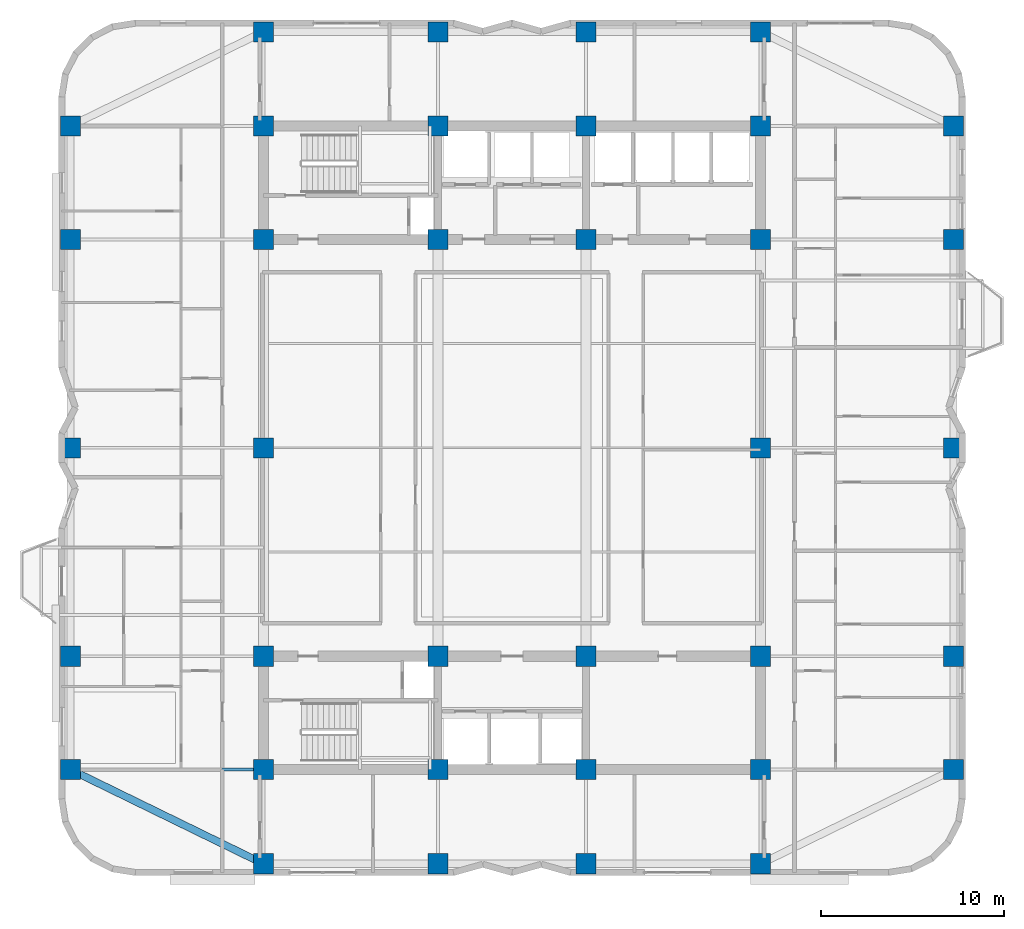
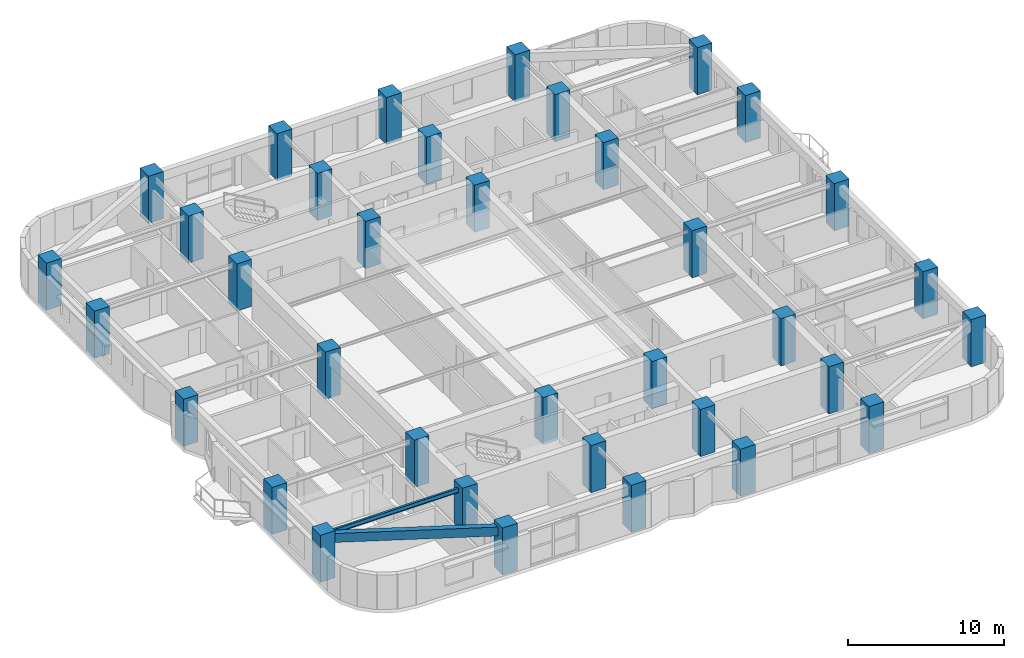
# One storey, part 1 of 15: 36 columns, 2 beams.
"""IFC4 building model written with IfcOpenShell, lengths in metres."""

from ifc_helpers import new_model, si_unit, direction, frame, origin, origin_2d, place, context, subcontext, project, spatial, rectangle, i_section, extrude, material, material_profile, profile_set, type_object, element, save


model = new_model("IFC4")

# Units and contexts
model_context = context("Model", 3, precision=1e-05, world=origin(), true_north=direction((0.0, 1.0)))
body_context = subcontext(model_context, "Body", "Model", "MODEL_VIEW")
ifc_project = project(units=[si_unit("LENGTHUNIT", "METRE"), si_unit("AREAUNIT", "SQUARE_METRE"), si_unit("VOLUMEUNIT", "CUBIC_METRE"), si_unit("PLANEANGLEUNIT", "RADIAN"), si_unit("MASSUNIT", "GRAM", prefix="KILO")], contexts=[model_context])

# Site, building, storey
site_placement = place(None, origin())
site = spatial("IfcSite", under=ifc_project, at=site_placement, CompositionType="ELEMENT")
building_placement = place(site_placement, origin())
building = spatial("IfcBuilding", under=site, at=building_placement, Name="Svetorya Sky Lyceum", CompositionType="ELEMENT")
storey_placement = place(building_placement, frame((0.0, 0.0, 117.89990234375)))
storey = spatial("IfcBuildingStorey", under=building, at=storey_placement, Name="L29", CompositionType="ELEMENT", Elevation=117.89990234375)

# Columns
ifc_material_1 = material(Name="Concrete C50/60", Category="concrete")
ifc_material_profile_1 = material_profile(ifc_material_1, rectangle(XDim=1.10009765625, YDim=1.10009765625, at=origin_2d()), Name="RC COL 1100x1100")
ifc_profile_set_1 = profile_set([ifc_material_profile_1], Name="Concrete C50/60")
column_type = type_object("IfcColumnType", Name="COL-RC-1100", PredefinedType="COLUMN", material=ifc_profile_set_1)
for number, where, z_axis, x_axis, name in (
    (1, (25.60009765625, 10.60009765625, 0.0), (0.0, 0.0, 1.0), (1.0, 0.0, 0.0), "L29 Core Column CS-11"),
    (2, (25.60009765625, 16.800048828125, 0.0), (0.0, 0.0, 1.0), (1.0, 0.0, 0.0), "L29 Core Column CS-12"),
    (3, (35.14990234375, 10.60009765625, 0.0), (0.0, 0.0, 1.0), (1.0, 0.0, 0.0), "L29 Core Column CS-21"),
    (4, (35.14990234375, 16.800048828125, 0.0), (0.0, 0.0, 1.0), (1.0, 0.0, 0.0), "L29 Core Column CS-22"),
    (5, (43.25, 10.60009765625, 0.0), (0.0, 0.0, 1.0), (1.0, 0.0, 0.0), "L29 Core Column CS-31"),
    (6, (43.25, 16.800048828125, 0.0), (0.0, 0.0, 1.0), (1.0, 0.0, 0.0), "L29 Core Column CS-32"),
    (7, (52.800048828125, 10.60009765625, 0.0), (0.0, 0.0, 1.0), (1.0, 0.0, 0.0), "L29 Core Column CS-41"),
    (8, (52.800048828125, 16.800048828125, 0.0), (0.0, 0.0, 1.0), (1.0, 0.0, 0.0), "L29 Core Column CS-42"),
    (9, (25.60009765625, 39.60009765625, 0.0), (0.0, 0.0, 1.0), (1.0, 0.0, 0.0), "L29 Core Column CN-11"),
    (10, (25.60009765625, 45.800048828125, 0.0), (0.0, 0.0, 1.0), (1.0, 0.0, 0.0), "L29 Core Column CN-12"),
    (11, (35.14990234375, 39.60009765625, 0.0), (0.0, 0.0, 1.0), (1.0, 0.0, 0.0), "L29 Core Column CN-21"),
    (12, (35.14990234375, 45.800048828125, 0.0), (0.0, 0.0, 1.0), (1.0, 0.0, 0.0), "L29 Core Column CN-22"),
    (13, (43.25, 39.60009765625, 0.0), (0.0, 0.0, 1.0), (1.0, 0.0, 0.0), "L29 Core Column CN-31"),
    (14, (43.25, 45.800048828125, 0.0), (0.0, 0.0, 1.0), (1.0, 0.0, 0.0), "L29 Core Column CN-32"),
    (15, (52.800048828125, 39.60009765625, 0.0), (0.0, 0.0, 1.0), (1.0, 0.0, 0.0), "L29 Core Column CN-41"),
    (16, (52.800048828125, 45.800048828125, 0.0), (0.0, 0.0, 1.0), (1.0, 0.0, 0.0), "L29 Core Column CN-42"),
    (17, (25.60009765625, 28.199951171875, 0.0), (0.0, 0.0, 1.0), (1.0, 0.0, 0.0), "L29 Core Column CM-W"),
    (18, (52.800048828125, 28.199951171875, 0.0), (0.0, 0.0, 1.0), (1.0, 0.0, 0.0), "L29 Core Column CM-E"),
    (19, (25.60009765625, 5.449951171875, 0.0), (0.0, 0.0, 1.0), (1.0, 0.0, 0.0), "L29 Perimeter Column S1"),
    (20, (25.60009765625, 50.949951171875, 0.0), (0.0, 0.0, 1.0), (1.0, 0.0, 0.0), "L29 Perimeter Column N1"),
    (21, (35.14990234375, 5.449951171875, 0.0), (0.0, 0.0, 1.0), (1.0, 0.0, 0.0), "L29 Perimeter Column S2"),
    (22, (35.14990234375, 50.949951171875, 0.0), (0.0, 0.0, 1.0), (1.0, 0.0, 0.0), "L29 Perimeter Column N2"),
    (23, (43.25, 5.449951171875, 0.0), (0.0, 0.0, 1.0), (1.0, 0.0, 0.0), "L29 Perimeter Column S3"),
    (24, (43.25, 50.949951171875, 0.0), (0.0, 0.0, 1.0), (1.0, 0.0, 0.0), "L29 Perimeter Column N3"),
    (25, (52.800048828125, 5.449951171875, 0.0), (0.0, 0.0, 1.0), (1.0, 0.0, 0.0), "L29 Perimeter Column S4"),
    (26, (52.800048828125, 50.949951171875, 0.0), (0.0, 0.0, 1.0), (1.0, 0.0, 0.0), "L29 Perimeter Column N4"),
    (27, (15.050048828125, 10.60009765625, 0.0), (0.0, 0.0, 1.0), (1.0, 0.0, 0.0), "L29 Perimeter Column W1"),
    (28, (63.35009765625, 10.60009765625, 0.0), (0.0, 0.0, 1.0), (1.0, 0.0, 0.0), "L29 Perimeter Column E1"),
    (29, (15.050048828125, 16.800048828125, 0.0), (0.0, 0.0, 1.0), (1.0, 0.0, 0.0), "L29 Perimeter Column W2"),
    (30, (63.35009765625, 16.800048828125, 0.0), (0.0, 0.0, 1.0), (1.0, 0.0, 0.0), "L29 Perimeter Column E2"),
    (31, (15.050048828125, 28.199951171875, 0.0), (0.0, 0.0, 1.0), (1.0, 0.0, 0.0), "L29 Perimeter Column W3"),
    (32, (63.35009765625, 28.199951171875, 0.0), (0.0, 0.0, 1.0), (1.0, 0.0, 0.0), "L29 Perimeter Column E3"),
    (33, (15.050048828125, 39.60009765625, 0.0), (0.0, 0.0, 1.0), (1.0, 0.0, 0.0), "L29 Perimeter Column W4"),
    (34, (63.35009765625, 39.60009765625, 0.0), (0.0, 0.0, 1.0), (1.0, 0.0, 0.0), "L29 Perimeter Column E4"),
    (35, (15.050048828125, 45.800048828125, 0.0), (0.0, 0.0, 1.0), (1.0, 0.0, 0.0), "L29 Perimeter Column W5"),
    (36, (63.35009765625, 45.800048828125, 0.0), (0.0, 0.0, 1.0), (1.0, 0.0, 0.0), "L29 Perimeter Column E5"),
):
    element("IfcColumn", number, at=place(storey_placement, frame(where, z_axis=z_axis, x_axis=x_axis)), inside=storey, type_object=column_type, Name=name, PredefinedType="COLUMN", context=body_context, shape_type="SweptSolid", body=[
        extrude(rectangle(XDim=1.10009765625, YDim=1.10009765625, at=origin_2d()), origin(), (0.0, 0.0, 1.0), 3.7001953125),
    ])

# Beams
ifc_material_profile_2 = material_profile(ifc_material_1, rectangle(XDim=0.39990234375, YDim=0.699951171875, at=origin_2d()), Name="RC SPANDREL 400x700")
ifc_profile_set_2 = profile_set([ifc_material_profile_2], Name="Concrete C50/60")
beam_type_1 = type_object("IfcBeamType", Name="BM-SPN-700", PredefinedType="SPANDREL", material=ifc_profile_set_2)
beam_1_placement = place(storey_placement, frame((25.60009765625, 5.449951171875, 3.070068359375), z_axis=(-0.898641495694, 0.438683783854, 0.0), x_axis=(-0.438683783854, -0.898641495694, 0.0)))
element("IfcBeam", 37, at=beam_1_placement, inside=storey, type_object=beam_type_1, Name="L29 Corner Spandrel 1", PredefinedType="SPANDREL", context=body_context, shape_type="SweptSolid", body=[
    extrude(rectangle(XDim=0.39990234375, YDim=0.699951171875, at=origin_2d()), origin(), (0.0, 0.0, 1.0), 11.739990234375),
])
ifc_material_2 = material(Name="Steel S355", Category="steel")
ifc_material_profile_3 = material_profile(ifc_material_2, i_section(OverallWidth=0.155029296875, OverallDepth=0.34912109375, WebThickness=0.007080078125, FlangeThickness=0.011474609375, at=origin_2d()), Name="GOST 35B2")
ifc_profile_set_3 = profile_set([ifc_material_profile_3], Name="Steel S355")
beam_type_2 = type_object("IfcBeamType", Name="BM-STL-35B2", PredefinedType="JOIST", material=ifc_profile_set_3)
beam_2_placement = place(storey_placement, frame((15.050048828125, 10.60009765625, 3.24560546875), z_axis=(1.0, 0.0, 0.0), x_axis=(0.0, 1.0, 0.0)))
element("IfcBeam", 38, at=beam_2_placement, inside=storey, type_object=beam_type_2, Name="L29 West Wing Floor Joist W1", PredefinedType="JOIST", context=body_context, shape_type="SweptSolid", body=[
    extrude(i_section(OverallWidth=0.155029296875, OverallDepth=0.34912109375, WebThickness=0.007080078125, FlangeThickness=0.011474609375, at=origin_2d()), origin(), (0.0, 0.0, 1.0), 10.550048828125),
])

save(model, "model.ifc")
